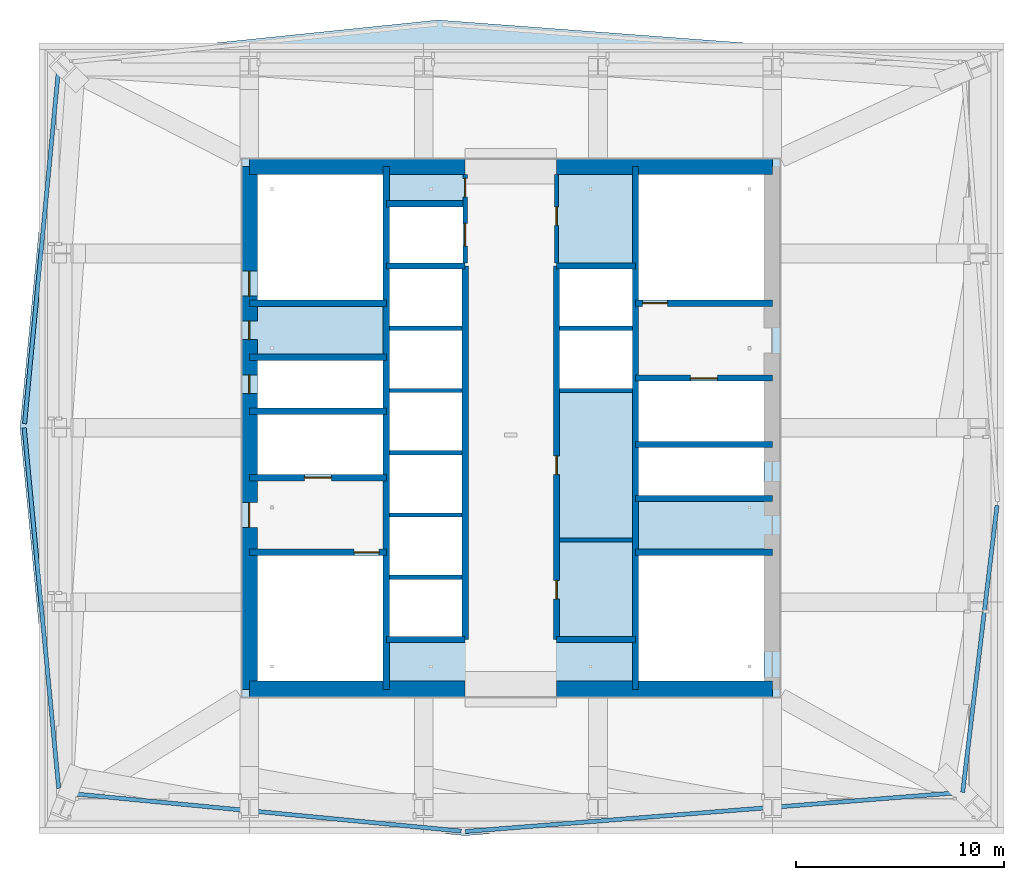
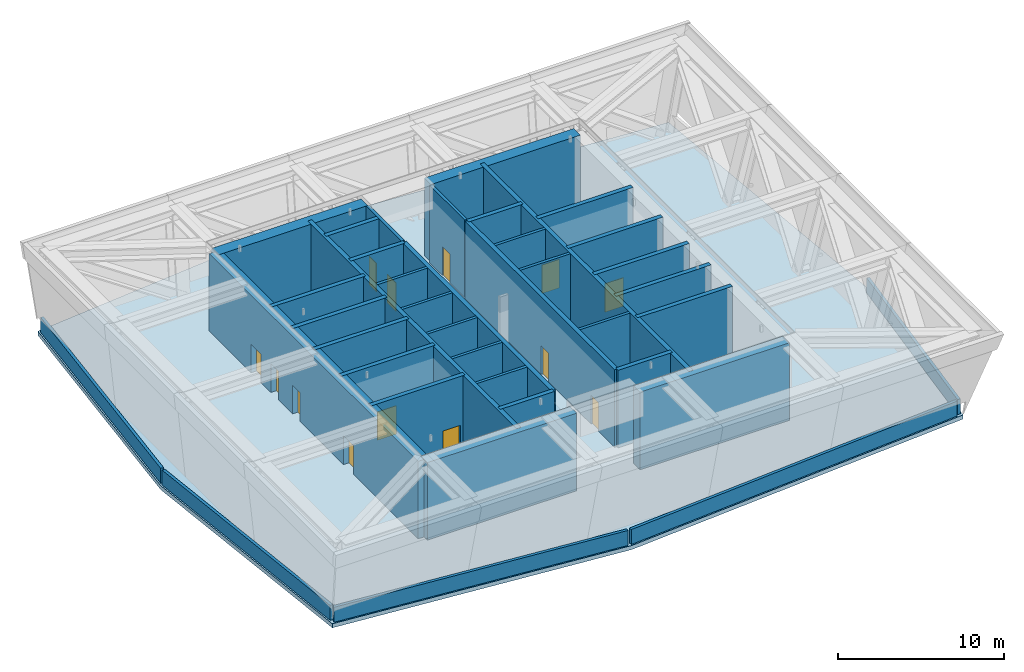
# One storey, part 2 of 7: 39 walls, 13 doors, 1 slab, 13 openings.
"""IFC4 building model written with IfcOpenShell, lengths in metres."""

from ifc_helpers import new_model, si_unit, direction, frame, frame_2d, origin, place, context, subcontext, project, spatial, polyline, rectangle, outline, extrude, material, layer, layer_set, type_object, element, fill, save


model = new_model("IFC4")

# Units and contexts
model_context = context("Model", 3, precision=1e-05, world=origin(), true_north=direction((0.0, 1.0)))
body_context = subcontext(model_context, "Body", "Model", "MODEL_VIEW")
ifc_project = project(units=[si_unit("LENGTHUNIT", "METRE"), si_unit("AREAUNIT", "SQUARE_METRE"), si_unit("VOLUMEUNIT", "CUBIC_METRE"), si_unit("PLANEANGLEUNIT", "RADIAN"), si_unit("MASSUNIT", "GRAM", prefix="KILO")], contexts=[model_context])

# Site, building, storey
site_placement = place(None, origin())
site = spatial("IfcSite", under=ifc_project, at=site_placement, CompositionType="ELEMENT")
building_placement = place(site_placement, origin())
building = spatial("IfcBuilding", under=site, at=building_placement, Name="Rekha Terrace Tower", CompositionType="ELEMENT")
storey_placement = place(building_placement, frame((0.0, 0.0, 296.75)))
storey = spatial("IfcBuildingStorey", under=building, at=storey_placement, Name="L75", CompositionType="ELEMENT", Elevation=296.75)

# Slab
ifc_material_1 = material(Name="Concrete M50", Category="concrete")
ifc_layer_1 = layer(ifc_material_1, 0.300048828125)
ifc_layer_set_1 = layer_set([ifc_layer_1], Name="Concrete M50")
slab_type = type_object("IfcSlabType", Name="SL8 300 roof slab", PredefinedType="ROOF", material=ifc_layer_set_1)
slab_placement = place(storey_placement, frame((0.0, 0.0, -0.300048828125)))
element("IfcSlab", 1, at=slab_placement, inside=storey, type_object=slab_type, Name="Roof slab L75", PredefinedType="ROOF", context=body_context, shape_type="SweptSolid", body=[
    extrude(outline(polyline([(14.14990234375, 33.60009765625), (15.85009765625, 15.85009765625), (35.60498046875, 13.949951171875), (59.75, 15.85009765625), (61.449951171875, 30.050048828125), (59.75, 51.35009765625), (34.2880859375, 53.25), (15.85009765625, 51.35009765625), (14.14990234375, 33.60009765625)]), holes=[polyline([(31.64990234375, 27.449951171875), (31.64990234375, 21.39990234375), (25.60009765625, 21.39990234375), (25.60009765625, 27.449951171875), (31.64990234375, 27.449951171875)]), polyline([(35.449951171875, 26.300048828125), (35.449951171875, 23.550048828125), (31.949951171875, 23.550048828125), (31.949951171875, 26.300048828125), (35.449951171875, 26.300048828125)]), polyline([(35.449951171875, 29.300048828125), (35.449951171875, 26.5), (31.949951171875, 26.5), (31.949951171875, 29.300048828125), (35.449951171875, 29.300048828125)]), polyline([(35.449951171875, 32.300048828125), (35.449951171875, 29.5), (31.949951171875, 29.5), (31.949951171875, 32.300048828125), (35.449951171875, 32.300048828125)]), polyline([(31.64990234375, 34.25), (31.64990234375, 31.35009765625), (25.60009765625, 31.35009765625), (25.60009765625, 34.25), (31.64990234375, 34.25)]), polyline([(35.449951171875, 35.300048828125), (35.449951171875, 32.5), (31.949951171875, 32.5), (31.949951171875, 35.300048828125), (35.449951171875, 35.300048828125)]), polyline([(31.64990234375, 36.85009765625), (31.64990234375, 34.550048828125), (25.60009765625, 34.550048828125), (25.60009765625, 36.85009765625), (31.64990234375, 36.85009765625)]), polyline([(35.449951171875, 38.300048828125), (35.449951171875, 35.5), (31.949951171875, 35.5), (31.949951171875, 38.300048828125), (35.449951171875, 38.300048828125)]), polyline([(31.64990234375, 45.800048828125), (31.64990234375, 39.75), (25.60009765625, 39.75), (25.60009765625, 45.800048828125), (31.64990234375, 45.800048828125)]), polyline([(50.0, 27.449951171875), (50.0, 21.39990234375), (43.949951171875, 21.39990234375), (43.949951171875, 27.449951171875), (50.0, 27.449951171875)]), polyline([(50.0, 32.64990234375), (50.0, 30.35009765625), (43.949951171875, 30.35009765625), (43.949951171875, 32.64990234375), (50.0, 32.64990234375)]), polyline([(50.0, 35.85009765625), (50.0, 32.949951171875), (43.949951171875, 32.949951171875), (43.949951171875, 35.85009765625), (50.0, 35.85009765625)]), polyline([(43.64990234375, 38.300048828125), (43.64990234375, 35.5), (40.14990234375, 35.5), (40.14990234375, 38.300048828125), (43.64990234375, 38.300048828125)]), polyline([(35.449951171875, 41.25), (35.449951171875, 38.5), (31.949951171875, 38.5), (31.949951171875, 41.25), (35.449951171875, 41.25)]), polyline([(43.64990234375, 41.25), (43.64990234375, 38.5), (40.14990234375, 38.5), (40.14990234375, 41.25), (43.64990234375, 41.25)]), polyline([(50.0, 39.75), (43.949951171875, 39.75), (43.949951171875, 45.800048828125), (50.0, 45.800048828125), (50.0, 39.75)]), polyline([(35.5, 41.550048828125), (31.949951171875, 41.550048828125), (31.949951171875, 44.25), (35.5, 44.25), (35.5, 41.550048828125)])]), origin(), (0.0, 0.0, 1.0), 0.300048828125),
])

# Walls
ifc_material_2 = material(Name="Concrete M60", Category="concrete")
ifc_layer_2 = layer(ifc_material_2, 0.300048828125)
ifc_layer_set_2 = layer_set([ifc_layer_2], Name="Concrete M60")
wall_type_1 = type_object("IfcWallType", Name="CI5 300 core internal shear wall", PredefinedType="SHEAR", material=ifc_layer_set_2)
for number, where, z_axis, x_axis, name in (
    (2, (31.800048828125, 21.0, 0.0), (0.0, 0.0, 1.0), (0.0, 1.0, 0.0), "Core wall X318 L75"),
    (3, (43.800048828125, 21.0, 0.0), (0.0, 0.0, 1.0), (0.0, 1.0, 0.0), "Core wall X438 L75"),
):
    element("IfcWall", number, at=place(storey_placement, frame(where, z_axis=z_axis, x_axis=x_axis)), inside=storey, type_object=wall_type_1, Name=name, PredefinedType="SHEAR", context=body_context, shape_type="SweptSolid", body=[
        extrude(rectangle(XDim=25.199951171875, YDim=0.300048828125, at=frame_2d((12.60009765625, 0.0))), origin(), (0.0, 0.0, 1.0), 5.699951171875),
    ])
wall_1_placement = place(storey_placement, frame((35.60009765625, 23.39990234375, 0.0), z_axis=(0.0, 0.0, 1.0), x_axis=(0.0, 1.0, 0.0)))
element("IfcWall", 4, at=wall_1_placement, inside=storey, type_object=wall_type_1, Name="Core wall X356 L75", PredefinedType="SHEAR", context=body_context, shape_type="SweptSolid", body=[
    extrude(rectangle(XDim=18.0, YDim=0.300048828125, at=frame_2d((9.0, 0.0))), origin(), (0.0, 0.0, 1.0), 5.699951171875),
])

# Wall, openings, doors
wall_2_placement = place(storey_placement, frame((40.0, 23.39990234375, 0.0), z_axis=(0.0, 0.0, 1.0), x_axis=(0.0, 1.0, 0.0)))
wall_2 = element("IfcWall", 5, at=wall_2_placement, inside=storey, type_object=wall_type_1, Name="Core wall X400 L75", PredefinedType="SHEAR", context=body_context, shape_type="SweptSolid", body=[
    extrude(rectangle(XDim=18.0, YDim=0.300048828125, at=frame_2d((9.0, 0.0))), origin(), (0.0, 0.0, 1.0), 5.699951171875),
])
opening_1_placement = place(wall_2_placement, frame((1.949951171875, 0.0, 0.0)))
opening_1 = element("IfcOpeningElement", 6, at=opening_1_placement, cuts=wall_2, Name="Opening D5", PredefinedType="OPENING", context=body_context, shape_type="SweptSolid", body=[
    extrude(rectangle(XDim=0.89990234375, YDim=2.10009765625, at=frame_2d((0.449951171875, 1.050048828125))), frame((0.0, 0.159912109375, 0.0), z_axis=(0.0, -1.0, 0.0), x_axis=(1.0, 0.0, 0.0)), (0.0, 0.0, 1.0), 0.320068359375),
])
opening_2_placement = place(wall_2_placement, frame((7.949951171875, 0.0, 0.0)))
opening_2 = element("IfcOpeningElement", 7, at=opening_2_placement, cuts=wall_2, Name="Opening D5", PredefinedType="OPENING", context=body_context, shape_type="SweptSolid", body=[
    extrude(rectangle(XDim=0.89990234375, YDim=2.10009765625, at=frame_2d((0.449951171875, 1.050048828125))), frame((0.0, 0.159912109375, 0.0), z_axis=(0.0, -1.0, 0.0), x_axis=(1.0, 0.0, 0.0)), (0.0, 0.0, 1.0), 0.320068359375),
])
ifc_material_3 = material(Name="Steel fire door", Category="steel")
door_type_1 = type_object("IfcDoorType", Name="D5 900x2100 riser access door", OperationType="SINGLE_SWING_LEFT", PredefinedType="DOOR", material=ifc_material_3)
door_1_placement = place(opening_1_placement, origin())
door_1 = element("IfcDoor", 8, at=door_1_placement, inside=storey, type_object=door_type_1, Name="Door plant spares store L75", OperationType="SINGLE_SWING_LEFT", OverallHeight=2.10009765625, OverallWidth=0.89990234375, PredefinedType="DOOR", context=body_context, shape_type="SweptSolid", body=[
    extrude(rectangle(XDim=0.89990234375, YDim=2.10009765625, at=frame_2d((0.449951171875, 1.050048828125))), frame((0.0, 0.02490234375, 0.0), z_axis=(0.0, -1.0, 0.0), x_axis=(1.0, 0.0, 0.0)), (0.0, 0.0, 1.0), 0.050048828125),
])
fill(opening_1, door_1)
door_2_placement = place(opening_2_placement, origin())
door_2 = element("IfcDoor", 9, at=door_2_placement, inside=storey, type_object=door_type_1, Name="Door building management panel room L75", OperationType="SINGLE_SWING_LEFT", OverallHeight=2.10009765625, OverallWidth=0.89990234375, PredefinedType="DOOR", context=body_context, shape_type="SweptSolid", body=[
    extrude(rectangle(XDim=0.89990234375, YDim=2.10009765625, at=frame_2d((0.449951171875, 1.050048828125))), frame((0.0, 0.02490234375, 0.0), z_axis=(0.0, -1.0, 0.0), x_axis=(1.0, 0.0, 0.0)), (0.0, 0.0, 1.0), 0.050048828125),
])
fill(opening_2, door_2)

# Walls
for number, where, z_axis, x_axis, name in (
    (10, (31.800048828125, 23.39990234375, 0.0), (0.0, 0.0, 1.0), (1.0, 0.0, 0.0), "Core wall Y234W L75"),
    (11, (31.800048828125, 41.39990234375, 0.0), (0.0, 0.0, 1.0), (1.0, 0.0, 0.0), "Core wall Y414W L75"),
    (12, (31.800048828125, 44.39990234375, 0.0), (0.0, 0.0, 1.0), (1.0, 0.0, 0.0), "Core wall Y444W L75"),
    (13, (40.0, 23.39990234375, 0.0), (0.0, 0.0, 1.0), (1.0, 0.0, 0.0), "Core wall Y234E L75"),
    (14, (40.0, 41.39990234375, 0.0), (0.0, 0.0, 1.0), (1.0, 0.0, 0.0), "Core wall Y414E L75"),
):
    element("IfcWall", number, at=place(storey_placement, frame(where, z_axis=z_axis, x_axis=x_axis)), inside=storey, type_object=wall_type_1, Name=name, PredefinedType="SHEAR", context=body_context, shape_type="SweptSolid", body=[
        extrude(rectangle(XDim=3.800048828125, YDim=0.300048828125, at=frame_2d((1.89990234375, 0.0))), origin(), (0.0, 0.0, 1.0), 5.699951171875),
    ])

# Wall, opening, door
wall_3_placement = place(storey_placement, frame((25.199951171875, 27.60009765625, 0.0), z_axis=(0.0, 0.0, 1.0), x_axis=(1.0, 0.0, 0.0)))
wall_3 = element("IfcWall", 15, at=wall_3_placement, inside=storey, type_object=wall_type_1, Name="Core wall Y276W L75", PredefinedType="SHEAR", context=body_context, shape_type="SweptSolid", body=[
    extrude(rectangle(XDim=6.60009765625, YDim=0.300048828125, at=frame_2d((3.300048828125, 0.0))), origin(), (0.0, 0.0, 1.0), 5.699951171875),
])
opening_3_placement = place(wall_3_placement, frame((5.050048828125, 0.0, 0.0)))
opening_3 = element("IfcOpeningElement", 16, at=opening_3_placement, cuts=wall_3, Name="Opening D1", PredefinedType="OPENING", context=body_context, shape_type="SweptSolid", body=[
    extrude(rectangle(XDim=1.199951171875, YDim=2.10009765625, at=frame_2d((0.60009765625, 1.050048828125))), frame((0.0, 0.159912109375, 0.0), z_axis=(0.0, -1.0, 0.0), x_axis=(1.0, 0.0, 0.0)), (0.0, 0.0, 1.0), 0.320068359375),
])
door_type_2 = type_object("IfcDoorType", Name="D1 1200x2100 stair fire door", OperationType="SINGLE_SWING_RIGHT", PredefinedType="DOOR", material=ifc_material_3)
door_3_placement = place(opening_3_placement, origin())
door_3 = element("IfcDoor", 17, at=door_3_placement, inside=storey, type_object=door_type_2, Name="Stair ST1 door L75", OperationType="SINGLE_SWING_RIGHT", OverallHeight=2.10009765625, OverallWidth=1.199951171875, PredefinedType="DOOR", context=body_context, shape_type="SweptSolid", body=[
    extrude(rectangle(XDim=1.199951171875, YDim=2.10009765625, at=frame_2d((0.60009765625, 1.050048828125))), frame((0.0, 0.02490234375, 0.0), z_axis=(0.0, -1.0, 0.0), x_axis=(1.0, 0.0, 0.0)), (0.0, 0.0, 1.0), 0.050048828125),
])
fill(opening_3, door_3)

wall_4_placement = place(storey_placement, frame((25.199951171875, 31.199951171875, 0.0), z_axis=(0.0, 0.0, 1.0), x_axis=(1.0, 0.0, 0.0)))
wall_4 = element("IfcWall", 18, at=wall_4_placement, inside=storey, type_object=wall_type_1, Name="Core wall Y312W L75", PredefinedType="SHEAR", context=body_context, shape_type="SweptSolid", body=[
    extrude(rectangle(XDim=6.60009765625, YDim=0.300048828125, at=frame_2d((3.300048828125, 0.0))), origin(), (0.0, 0.0, 1.0), 5.699951171875),
])
opening_4_placement = place(wall_4_placement, frame((2.64990234375, 0.0, 0.0)))
opening_4 = element("IfcOpeningElement", 19, at=opening_4_placement, cuts=wall_4, Name="Opening LD2", PredefinedType="OPENING", context=body_context, shape_type="SweptSolid", body=[
    extrude(rectangle(XDim=1.300048828125, YDim=2.10009765625, at=frame_2d((0.64990234375, 1.050048828125))), frame((0.0, 0.159912109375, 0.0), z_axis=(0.0, -1.0, 0.0), x_axis=(1.0, 0.0, 0.0)), (0.0, 0.0, 1.0), 0.320068359375),
])
ifc_material_4 = material(Name="Stainless steel sliding landing door", Category="steel")
door_type_3 = type_object("IfcDoorType", Name="LD2 1300x2100 fire lift landing door", OperationType="SLIDING_TO_LEFT", PredefinedType="USERDEFINED", material=ifc_material_4)
door_4_placement = place(opening_4_placement, origin())
door_4 = element("IfcDoor", 20, at=door_4_placement, inside=storey, type_object=door_type_3, Name="Lift FL1 landing door L75", ObjectType="LIFT LANDING DOOR", OperationType="SLIDING_TO_LEFT", OverallHeight=2.10009765625, OverallWidth=1.300048828125, PredefinedType="USERDEFINED", context=body_context, shape_type="SweptSolid", body=[
    extrude(rectangle(XDim=1.300048828125, YDim=2.10009765625, at=frame_2d((0.64990234375, 1.050048828125))), frame((0.0, 0.02490234375, 0.0), z_axis=(0.0, -1.0, 0.0), x_axis=(1.0, 0.0, 0.0)), (0.0, 0.0, 1.0), 0.050048828125),
])
fill(opening_4, door_4)

# Walls
for number, where, z_axis, x_axis, name in (
    (21, (25.199951171875, 34.39990234375, 0.0), (0.0, 0.0, 1.0), (1.0, 0.0, 0.0), "Core wall Y344W L75"),
    (22, (25.199951171875, 37.0, 0.0), (0.0, 0.0, 1.0), (1.0, 0.0, 0.0), "Core wall Y370W L75"),
    (23, (25.199951171875, 39.60009765625, 0.0), (0.0, 0.0, 1.0), (1.0, 0.0, 0.0), "Core wall Y396W L75"),
):
    element("IfcWall", number, at=place(storey_placement, frame(where, z_axis=z_axis, x_axis=x_axis)), inside=storey, type_object=wall_type_1, Name=name, PredefinedType="SHEAR", context=body_context, shape_type="SweptSolid", body=[
        extrude(rectangle(XDim=6.60009765625, YDim=0.300048828125, at=frame_2d((3.300048828125, 0.0))), origin(), (0.0, 0.0, 1.0), 5.699951171875),
    ])
for number, where, z_axis, x_axis, name in (
    (24, (43.800048828125, 27.60009765625, 0.0), (0.0, 0.0, 1.0), (1.0, 0.0, 0.0), "Core wall Y276E L75"),
    (25, (43.800048828125, 30.199951171875, 0.0), (0.0, 0.0, 1.0), (1.0, 0.0, 0.0), "Core wall Y302E L75"),
    (26, (43.800048828125, 32.800048828125, 0.0), (0.0, 0.0, 1.0), (1.0, 0.0, 0.0), "Core wall Y328E L75"),
):
    element("IfcWall", number, at=place(storey_placement, frame(where, z_axis=z_axis, x_axis=x_axis)), inside=storey, type_object=wall_type_1, Name=name, PredefinedType="SHEAR", context=body_context, shape_type="SweptSolid", body=[
        extrude(rectangle(XDim=6.599853515625, YDim=0.300048828125, at=frame_2d((3.2998046875, 0.0))), origin(), (0.0, 0.0, 1.0), 5.699951171875),
    ])

# Wall, opening, door
wall_5_placement = place(storey_placement, frame((43.800048828125, 36.0, 0.0), z_axis=(0.0, 0.0, 1.0), x_axis=(1.0, 0.0, 0.0)))
wall_5 = element("IfcWall", 27, at=wall_5_placement, inside=storey, type_object=wall_type_1, Name="Core wall Y360E L75", PredefinedType="SHEAR", context=body_context, shape_type="SweptSolid", body=[
    extrude(rectangle(XDim=6.599853515625, YDim=0.300048828125, at=frame_2d((3.2998046875, 0.0))), origin(), (0.0, 0.0, 1.0), 5.699951171875),
])
opening_5_placement = place(wall_5_placement, frame((2.64990234375, 0.0, 0.0)))
opening_5 = element("IfcOpeningElement", 28, at=opening_5_placement, cuts=wall_5, Name="Opening LD2", PredefinedType="OPENING", context=body_context, shape_type="SweptSolid", body=[
    extrude(rectangle(XDim=1.300048828125, YDim=2.10009765625, at=frame_2d((0.64990234375, 1.050048828125))), frame((0.0, 0.159912109375, 0.0), z_axis=(0.0, -1.0, 0.0), x_axis=(1.0, 0.0, 0.0)), (0.0, 0.0, 1.0), 0.320068359375),
])
door_5_placement = place(opening_5_placement, origin())
door_5 = element("IfcDoor", 29, at=door_5_placement, inside=storey, type_object=door_type_3, Name="Lift FL2 landing door L75", ObjectType="LIFT LANDING DOOR", OperationType="SLIDING_TO_LEFT", OverallHeight=2.10009765625, OverallWidth=1.300048828125, PredefinedType="USERDEFINED", context=body_context, shape_type="SweptSolid", body=[
    extrude(rectangle(XDim=1.300048828125, YDim=2.10009765625, at=frame_2d((0.64990234375, 1.050048828125))), frame((0.0, 0.02490234375, 0.0), z_axis=(0.0, -1.0, 0.0), x_axis=(1.0, 0.0, 0.0)), (0.0, 0.0, 1.0), 0.050048828125),
])
fill(opening_5, door_5)

wall_6_placement = place(storey_placement, frame((43.800048828125, 39.60009765625, 0.0), z_axis=(0.0, 0.0, 1.0), x_axis=(1.0, 0.0, 0.0)))
wall_6 = element("IfcWall", 30, at=wall_6_placement, inside=storey, type_object=wall_type_1, Name="Core wall Y396E L75", PredefinedType="SHEAR", context=body_context, shape_type="SweptSolid", body=[
    extrude(rectangle(XDim=6.599853515625, YDim=0.300048828125, at=frame_2d((3.2998046875, 0.0))), origin(), (0.0, 0.0, 1.0), 5.699951171875),
])
opening_6_placement = place(wall_6_placement, frame((0.35009765625, 0.0, 0.0)))
opening_6 = element("IfcOpeningElement", 31, at=opening_6_placement, cuts=wall_6, Name="Opening D1", PredefinedType="OPENING", context=body_context, shape_type="SweptSolid", body=[
    extrude(rectangle(XDim=1.199951171875, YDim=2.10009765625, at=frame_2d((0.60009765625, 1.050048828125))), frame((0.0, 0.159912109375, 0.0), z_axis=(0.0, -1.0, 0.0), x_axis=(1.0, 0.0, 0.0)), (0.0, 0.0, 1.0), 0.320068359375),
])
door_6_placement = place(opening_6_placement, origin())
door_6 = element("IfcDoor", 32, at=door_6_placement, inside=storey, type_object=door_type_2, Name="Stair ST2 door L75", OperationType="SINGLE_SWING_RIGHT", OverallHeight=2.10009765625, OverallWidth=1.199951171875, PredefinedType="DOOR", context=body_context, shape_type="SweptSolid", body=[
    extrude(rectangle(XDim=1.199951171875, YDim=2.10009765625, at=frame_2d((0.60009765625, 1.050048828125))), frame((0.0, 0.02490234375, 0.0), z_axis=(0.0, -1.0, 0.0), x_axis=(1.0, 0.0, 0.0)), (0.0, 0.0, 1.0), 0.050048828125),
])
fill(opening_6, door_6)

# Walls
ifc_material_5 = material(Name="Concrete M40", Category="concrete")
ifc_layer_3 = layer(ifc_material_5, 0.199951171875)
ifc_layer_set_3 = layer_set([ifc_layer_3], Name="Concrete M40")
wall_type_2 = type_object("IfcWallType", Name="PP1 parapet wall 200", PredefinedType="PARAPET", material=ifc_layer_set_3)
wall_7_placement = place(storey_placement, frame((16.033447265625, 16.033203125, 0.0), z_axis=(0.0, 0.0, 1.0), x_axis=(0.995407213367, -0.095731288386, 0.0)))
element("IfcWall", 33, at=wall_7_placement, inside=storey, type_object=wall_type_2, Name="Roof parapet", PredefinedType="PARAPET", context=body_context, shape_type="SweptSolid", body=[
    extrude(rectangle(XDim=19.463623046875, YDim=0.199951171875, at=frame_2d((9.73193359375, 0.0))), origin(), (0.0, 0.0, 1.0), 1.10009765625),
])
wall_8_placement = place(storey_placement, frame((35.606689453125, 14.150634765625, 0.0), z_axis=(0.0, 0.0, 1.0), x_axis=(0.996918056925, 0.078449906165, 0.0)))
element("IfcWall", 34, at=wall_8_placement, inside=storey, type_object=wall_type_2, Name="Roof parapet", PredefinedType="PARAPET", context=body_context, shape_type="SweptSolid", body=[
    extrude(rectangle(XDim=23.83837890625, YDim=0.199951171875, at=frame_2d((11.919189453125, 0.0))), origin(), (0.0, 0.0, 1.0), 1.10009765625),
])
wall_9_placement = place(storey_placement, frame((59.57080078125, 16.03662109375, 0.0), z_axis=(0.0, 0.0, 1.0), x_axis=(0.118881672413, 0.992908428791, 0.0)))
element("IfcWall", 35, at=wall_9_placement, inside=storey, type_object=wall_type_2, Name="Roof parapet", PredefinedType="PARAPET", context=body_context, shape_type="SweptSolid", body=[
    extrude(rectangle(XDim=13.91748046875, YDim=0.199951171875, at=frame_2d((6.958740234375, 0.0))), origin(), (0.0, 0.0, 1.0), 1.10009765625),
])
wall_10_placement = place(storey_placement, frame((16.033447265625, 51.16796875, 0.0), z_axis=(0.0, 0.0, 1.0), x_axis=(-0.095342604939, -0.995444517632, 0.0)))
element("IfcWall", 36, at=wall_10_placement, inside=storey, type_object=wall_type_2, Name="Roof parapet", PredefinedType="PARAPET", context=body_context, shape_type="SweptSolid", body=[
    extrude(rectangle(XDim=17.448486328125, YDim=0.199951171875, at=frame_2d((8.72412109375, 0.0))), origin(), (0.0, 0.0, 1.0), 1.10009765625),
])
wall_11_placement = place(storey_placement, frame((14.350830078125, 33.60009765625, 0.0), z_axis=(0.0, 0.0, 1.0), x_axis=(0.095349245259, -0.995443881607, 0.0)))
element("IfcWall", 37, at=wall_11_placement, inside=storey, type_object=wall_type_2, Name="Roof parapet", PredefinedType="PARAPET", context=body_context, shape_type="SweptSolid", body=[
    extrude(rectangle(XDim=17.447265625, YDim=0.199951171875, at=frame_2d((8.7236328125, 0.0))), origin(), (0.0, 0.0, 1.0), 1.10009765625),
])
ifc_layer_4 = layer(ifc_material_2, 0.800048828125)
ifc_layer_set_4 = layer_set([ifc_layer_4], Name="Concrete M60")
wall_type_3 = type_object("IfcWallType", Name="SW5 800 core outer shear wall", PredefinedType="SHEAR", material=ifc_layer_set_4)
wall_12_placement = place(storey_placement, frame((25.199951171875, 21.0, 0.0), z_axis=(0.0, 0.0, 1.0), x_axis=(1.0, 0.0, 0.0)))
element("IfcWall", 38, at=wall_12_placement, inside=storey, type_object=wall_type_3, Name="Core wall S1 L75", PredefinedType="SHEAR", context=body_context, shape_type="SweptSolid", body=[
    extrude(rectangle(XDim=10.400146484375, YDim=0.800048828125, at=frame_2d((5.2001953125, 0.0))), origin(), (0.0, 0.0, 1.0), 5.699951171875),
])
wall_13_placement = place(storey_placement, frame((40.0, 21.0, 0.0), z_axis=(0.0, 0.0, 1.0), x_axis=(1.0, 0.0, 0.0)))
element("IfcWall", 39, at=wall_13_placement, inside=storey, type_object=wall_type_3, Name="Core wall S2 L75", PredefinedType="SHEAR", context=body_context, shape_type="SweptSolid", body=[
    extrude(rectangle(XDim=10.39990234375, YDim=0.800048828125, at=frame_2d((5.199951171875, 0.0))), origin(), (0.0, 0.0, 1.0), 5.699951171875),
])
wall_14_placement = place(storey_placement, frame((25.199951171875, 46.199951171875, 0.0), z_axis=(0.0, 0.0, 1.0), x_axis=(1.0, 0.0, 0.0)))
element("IfcWall", 40, at=wall_14_placement, inside=storey, type_object=wall_type_3, Name="Core wall N1 L75", PredefinedType="SHEAR", context=body_context, shape_type="SweptSolid", body=[
    extrude(rectangle(XDim=10.400146484375, YDim=0.800048828125, at=frame_2d((5.2001953125, 0.0))), origin(), (0.0, 0.0, 1.0), 5.699951171875),
])
wall_15_placement = place(storey_placement, frame((40.0, 46.199951171875, 0.0), z_axis=(0.0, 0.0, 1.0), x_axis=(1.0, 0.0, 0.0)))
element("IfcWall", 41, at=wall_15_placement, inside=storey, type_object=wall_type_3, Name="Core wall N2 L75", PredefinedType="SHEAR", context=body_context, shape_type="SweptSolid", body=[
    extrude(rectangle(XDim=10.39990234375, YDim=0.800048828125, at=frame_2d((5.199951171875, 0.0))), origin(), (0.0, 0.0, 1.0), 5.699951171875),
])

# Wall, openings, doors
wall_16_placement = place(storey_placement, frame((25.199951171875, 21.0, 0.0), z_axis=(0.0, 0.0, 1.0), x_axis=(0.0, 1.0, 0.0)))
wall_16 = element("IfcWall", 42, at=wall_16_placement, inside=storey, type_object=wall_type_3, Name="Core wall W L75", PredefinedType="SHEAR", context=body_context, shape_type="SweptSolid", body=[
    extrude(rectangle(XDim=25.199951171875, YDim=0.800048828125, at=frame_2d((12.60009765625, 0.0))), origin(), (0.0, 0.0, 1.0), 5.699951171875),
])
opening_7_placement = place(wall_16_placement, frame((7.800048828125, 0.0, 0.0)))
opening_7 = element("IfcOpeningElement", 43, at=opening_7_placement, cuts=wall_16, Name="Opening D2", PredefinedType="OPENING", context=body_context, shape_type="SweptSolid", body=[
    extrude(rectangle(XDim=1.199951171875, YDim=2.10009765625, at=frame_2d((0.60009765625, 1.050048828125))), frame((0.0, 0.409912109375, 0.0), z_axis=(0.0, -1.0, 0.0), x_axis=(1.0, 0.0, 0.0)), (0.0, 0.0, 1.0), 0.820068359375),
])
opening_8_placement = place(wall_16_placement, frame((14.25, 0.0, 0.0)))
opening_8 = element("IfcOpeningElement", 44, at=opening_8_placement, cuts=wall_16, Name="Opening D5", PredefinedType="OPENING", context=body_context, shape_type="SweptSolid", body=[
    extrude(rectangle(XDim=0.89990234375, YDim=2.10009765625, at=frame_2d((0.449951171875, 1.050048828125))), frame((0.0, 0.409912109375, 0.0), z_axis=(0.0, -1.0, 0.0), x_axis=(1.0, 0.0, 0.0)), (0.0, 0.0, 1.0), 0.820068359375),
])
opening_9_placement = place(wall_16_placement, frame((16.85009765625, 0.0, 0.0)))
opening_9 = element("IfcOpeningElement", 45, at=opening_9_placement, cuts=wall_16, Name="Opening D5", PredefinedType="OPENING", context=body_context, shape_type="SweptSolid", body=[
    extrude(rectangle(XDim=0.89990234375, YDim=2.10009765625, at=frame_2d((0.449951171875, 1.050048828125))), frame((0.0, 0.409912109375, 0.0), z_axis=(0.0, -1.0, 0.0), x_axis=(1.0, 0.0, 0.0)), (0.0, 0.0, 1.0), 0.820068359375),
])
opening_10_placement = place(wall_16_placement, frame((18.949951171875, 0.0, 0.0)))
opening_10 = element("IfcOpeningElement", 46, at=opening_10_placement, cuts=wall_16, Name="Opening D1", PredefinedType="OPENING", context=body_context, shape_type="SweptSolid", body=[
    extrude(rectangle(XDim=1.199951171875, YDim=2.10009765625, at=frame_2d((0.60009765625, 1.050048828125))), frame((0.0, 0.409912109375, 0.0), z_axis=(0.0, -1.0, 0.0), x_axis=(1.0, 0.0, 0.0)), (0.0, 0.0, 1.0), 0.820068359375),
])
door_7_placement = place(opening_10_placement, origin())
door_7 = element("IfcDoor", 47, at=door_7_placement, inside=storey, type_object=door_type_2, Name="Stair ST4 door L75", OperationType="SINGLE_SWING_RIGHT", OverallHeight=2.10009765625, OverallWidth=1.199951171875, PredefinedType="DOOR", context=body_context, shape_type="SweptSolid", body=[
    extrude(rectangle(XDim=1.199951171875, YDim=2.10009765625, at=frame_2d((0.60009765625, 1.050048828125))), frame((0.0, 0.02490234375, 0.0), z_axis=(0.0, -1.0, 0.0), x_axis=(1.0, 0.0, 0.0)), (0.0, 0.0, 1.0), 0.050048828125),
])
fill(opening_10, door_7)
door_type_4 = type_object("IfcDoorType", Name="D2 1200x2100 firefighting lobby door", OperationType="SINGLE_SWING_LEFT", PredefinedType="DOOR", material=ifc_material_3)
door_8_placement = place(opening_7_placement, origin())
door_8 = element("IfcDoor", 48, at=door_8_placement, inside=storey, type_object=door_type_4, Name="Door flb1 L75", OperationType="SINGLE_SWING_LEFT", OverallHeight=2.10009765625, OverallWidth=1.199951171875, PredefinedType="DOOR", context=body_context, shape_type="SweptSolid", body=[
    extrude(rectangle(XDim=1.199951171875, YDim=2.10009765625, at=frame_2d((0.60009765625, 1.050048828125))), frame((0.0, 0.02490234375, 0.0), z_axis=(0.0, -1.0, 0.0), x_axis=(1.0, 0.0, 0.0)), (0.0, 0.0, 1.0), 0.050048828125),
])
fill(opening_7, door_8)
door_9_placement = place(opening_8_placement, origin())
door_9 = element("IfcDoor", 49, at=door_9_placement, inside=storey, type_object=door_type_1, Name="Door rs1 L75", OperationType="SINGLE_SWING_LEFT", OverallHeight=2.10009765625, OverallWidth=0.89990234375, PredefinedType="DOOR", context=body_context, shape_type="SweptSolid", body=[
    extrude(rectangle(XDim=0.89990234375, YDim=2.10009765625, at=frame_2d((0.449951171875, 1.050048828125))), frame((0.0, 0.02490234375, 0.0), z_axis=(0.0, -1.0, 0.0), x_axis=(1.0, 0.0, 0.0)), (0.0, 0.0, 1.0), 0.050048828125),
])
fill(opening_8, door_9)
door_10_placement = place(opening_9_placement, origin())
door_10 = element("IfcDoor", 50, at=door_10_placement, inside=storey, type_object=door_type_1, Name="Door elw L75", OperationType="SINGLE_SWING_LEFT", OverallHeight=2.10009765625, OverallWidth=0.89990234375, PredefinedType="DOOR", context=body_context, shape_type="SweptSolid", body=[
    extrude(rectangle(XDim=0.89990234375, YDim=2.10009765625, at=frame_2d((0.449951171875, 1.050048828125))), frame((0.0, 0.02490234375, 0.0), z_axis=(0.0, -1.0, 0.0), x_axis=(1.0, 0.0, 0.0)), (0.0, 0.0, 1.0), 0.050048828125),
])
fill(opening_9, door_10)

# Walls
ifc_material_6 = material(Name="Solid concrete block masonry, 2 hour", Category="masonry")
ifc_layer_5 = layer(ifc_material_6, 0.199951171875)
ifc_layer_set_5 = layer_set([ifc_layer_5], Name="Solid concrete block masonry, 2 hour")
wall_type_4 = type_object("IfcWallType", Name="WS1 200 stair and shaft enclosure", PredefinedType="PARTITIONING", material=ifc_layer_set_5)
for number, where, z_axis, x_axis, name in (
    (51, (31.949951171875, 26.39990234375, 0.0), (0.0, 0.0, 1.0), (1.0, 0.0, 0.0), "Lift shaft divider L75"),
    (52, (31.949951171875, 29.39990234375, 0.0), (0.0, 0.0, 1.0), (1.0, 0.0, 0.0), "Lift shaft divider L75"),
    (53, (31.949951171875, 32.39990234375, 0.0), (0.0, 0.0, 1.0), (1.0, 0.0, 0.0), "Lift shaft divider L75"),
    (54, (31.949951171875, 35.39990234375, 0.0), (0.0, 0.0, 1.0), (1.0, 0.0, 0.0), "Lift shaft divider L75"),
    (55, (31.949951171875, 38.39990234375, 0.0), (0.0, 0.0, 1.0), (1.0, 0.0, 0.0), "Lift shaft divider L75"),
    (56, (40.14990234375, 35.39990234375, 0.0), (0.0, 0.0, 1.0), (1.0, 0.0, 0.0), "Lift shaft divider L75"),
    (57, (40.14990234375, 38.39990234375, 0.0), (0.0, 0.0, 1.0), (1.0, 0.0, 0.0), "Lift shaft divider L75"),
):
    element("IfcWall", number, at=place(storey_placement, frame(where, z_axis=z_axis, x_axis=x_axis)), inside=storey, type_object=wall_type_4, Name=name, PredefinedType="PARTITIONING", context=body_context, shape_type="SweptSolid", body=[
        extrude(rectangle(XDim=3.5, YDim=0.199951171875, at=frame_2d((1.75, 0.0))), origin(), (0.0, 0.0, 1.0), 5.699951171875),
    ])

# Wall, opening, door
wall_17_placement = place(storey_placement, frame((40.0, 41.550048828125, 0.0), z_axis=(0.0, 0.0, 1.0), x_axis=(0.0, 1.0, 0.0)))
wall_17 = element("IfcWall", 58, at=wall_17_placement, inside=storey, type_object=wall_type_4, Name="Core partition elec L75", PredefinedType="PARTITIONING", context=body_context, shape_type="SweptSolid", body=[
    extrude(rectangle(XDim=4.25, YDim=0.199951171875, at=frame_2d((2.125, 0.0))), origin(), (0.0, 0.0, 1.0), 5.699951171875),
])
opening_11_placement = place(wall_17_placement, frame((1.800048828125, 0.0, 0.0)))
opening_11 = element("IfcOpeningElement", 59, at=opening_11_placement, cuts=wall_17, Name="Opening D5", PredefinedType="OPENING", context=body_context, shape_type="SweptSolid", body=[
    extrude(rectangle(XDim=0.89990234375, YDim=2.10009765625, at=frame_2d((0.449951171875, 1.050048828125))), frame((0.0, 0.10986328125, 0.0), z_axis=(0.0, -1.0, 0.0), x_axis=(1.0, 0.0, 0.0)), (0.0, 0.0, 1.0), 0.219970703125),
])
door_11_placement = place(opening_11_placement, origin())
door_11 = element("IfcDoor", 60, at=door_11_placement, inside=storey, type_object=door_type_1, Name="Door electrical room L75", OperationType="SINGLE_SWING_LEFT", OverallHeight=2.10009765625, OverallWidth=0.89990234375, PredefinedType="DOOR", context=body_context, shape_type="SweptSolid", body=[
    extrude(rectangle(XDim=0.89990234375, YDim=2.10009765625, at=frame_2d((0.449951171875, 1.050048828125))), frame((0.0, 0.02490234375, 0.0), z_axis=(0.0, -1.0, 0.0), x_axis=(1.0, 0.0, 0.0)), (0.0, 0.0, 1.0), 0.050048828125),
])
fill(opening_11, door_11)

# Wall, openings, doors
wall_18_placement = place(storey_placement, frame((35.60009765625, 41.550048828125, 0.0), z_axis=(0.0, 0.0, 1.0), x_axis=(0.0, 1.0, 0.0)))
wall_18 = element("IfcWall", 61, at=wall_18_placement, inside=storey, type_object=wall_type_4, Name="Core partition jansv L75", PredefinedType="PARTITIONING", context=body_context, shape_type="SweptSolid", body=[
    extrude(rectangle(XDim=4.25, YDim=0.199951171875, at=frame_2d((2.125, 0.0))), origin(), (0.0, 0.0, 1.0), 5.699951171875),
])
opening_12_placement = place(wall_18_placement, frame((3.175048828125, 0.0, 0.0)))
opening_12 = element("IfcOpeningElement", 62, at=opening_12_placement, cuts=wall_18, Name="Opening D5", PredefinedType="OPENING", context=body_context, shape_type="SweptSolid", body=[
    extrude(rectangle(XDim=0.89990234375, YDim=2.10009765625, at=frame_2d((0.449951171875, 1.050048828125))), frame((0.0, 0.10986328125, 0.0), z_axis=(0.0, -1.0, 0.0), x_axis=(1.0, 0.0, 0.0)), (0.0, 0.0, 1.0), 0.219970703125),
])
opening_13_placement = place(wall_18_placement, frame((0.800048828125, 0.0, 0.0)))
opening_13 = element("IfcOpeningElement", 63, at=opening_13_placement, cuts=wall_18, Name="Opening LD1", PredefinedType="OPENING", context=body_context, shape_type="SweptSolid", body=[
    extrude(rectangle(XDim=1.10009765625, YDim=2.10009765625, at=frame_2d((0.550048828125, 1.050048828125))), frame((0.0, 0.10986328125, 0.0), z_axis=(0.0, -1.0, 0.0), x_axis=(1.0, 0.0, 0.0)), (0.0, 0.0, 1.0), 0.219970703125),
])
door_12_placement = place(opening_12_placement, origin())
door_12 = element("IfcDoor", 64, at=door_12_placement, inside=storey, type_object=door_type_1, Name="Door janitor room L75", OperationType="SINGLE_SWING_LEFT", OverallHeight=2.10009765625, OverallWidth=0.89990234375, PredefinedType="DOOR", context=body_context, shape_type="SweptSolid", body=[
    extrude(rectangle(XDim=0.89990234375, YDim=2.10009765625, at=frame_2d((0.449951171875, 1.050048828125))), frame((0.0, 0.02490234375, 0.0), z_axis=(0.0, -1.0, 0.0), x_axis=(1.0, 0.0, 0.0)), (0.0, 0.0, 1.0), 0.050048828125),
])
fill(opening_12, door_12)
door_type_5 = type_object("IfcDoorType", Name="LD1 1100x2100 lift landing door", OperationType="SLIDING_TO_LEFT", PredefinedType="USERDEFINED", material=ifc_material_4)
door_13_placement = place(opening_13_placement, origin())
door_13 = element("IfcDoor", 65, at=door_13_placement, inside=storey, type_object=door_type_5, Name="Lift SV1 landing door L75", ObjectType="LIFT LANDING DOOR", OperationType="SLIDING_TO_LEFT", OverallHeight=2.10009765625, OverallWidth=1.10009765625, PredefinedType="USERDEFINED", context=body_context, shape_type="SweptSolid", body=[
    extrude(rectangle(XDim=1.10009765625, YDim=2.10009765625, at=frame_2d((0.550048828125, 1.050048828125))), frame((0.0, 0.02490234375, 0.0), z_axis=(0.0, -1.0, 0.0), x_axis=(1.0, 0.0, 0.0)), (0.0, 0.0, 1.0), 0.050048828125),
])
fill(opening_13, door_13)

# Wall
wall_19_placement = place(storey_placement, frame((40.14990234375, 28.199951171875, 0.0), z_axis=(0.0, 0.0, 1.0), x_axis=(1.0, 0.0, 0.0)))
element("IfcWall", 66, at=wall_19_placement, inside=storey, type_object=wall_type_4, Name="Core partition freed shafts L75", PredefinedType="PARTITIONING", context=body_context, shape_type="SweptSolid", body=[
    extrude(rectangle(XDim=3.5, YDim=0.199951171875, at=frame_2d((1.75, 0.0))), origin(), (0.0, 0.0, 1.0), 5.699951171875),
])

save(model, "model.ifc")
